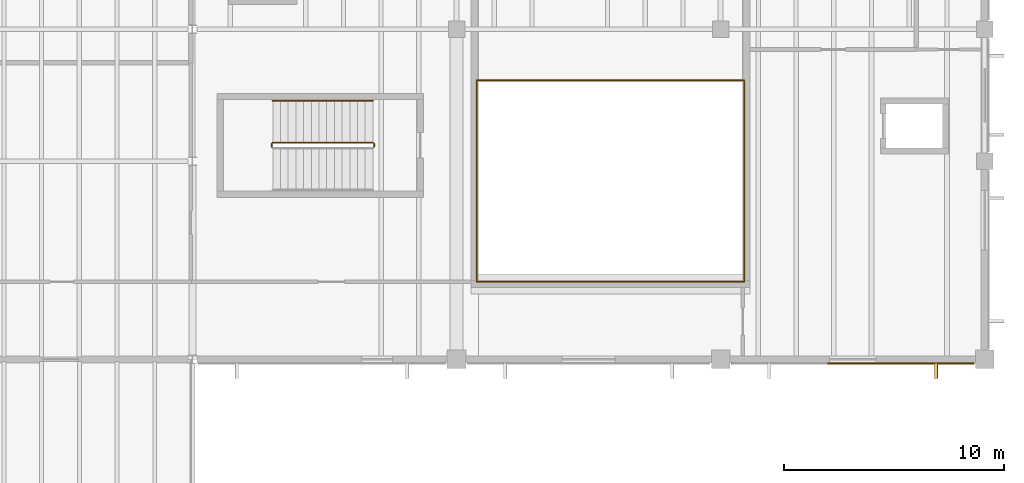
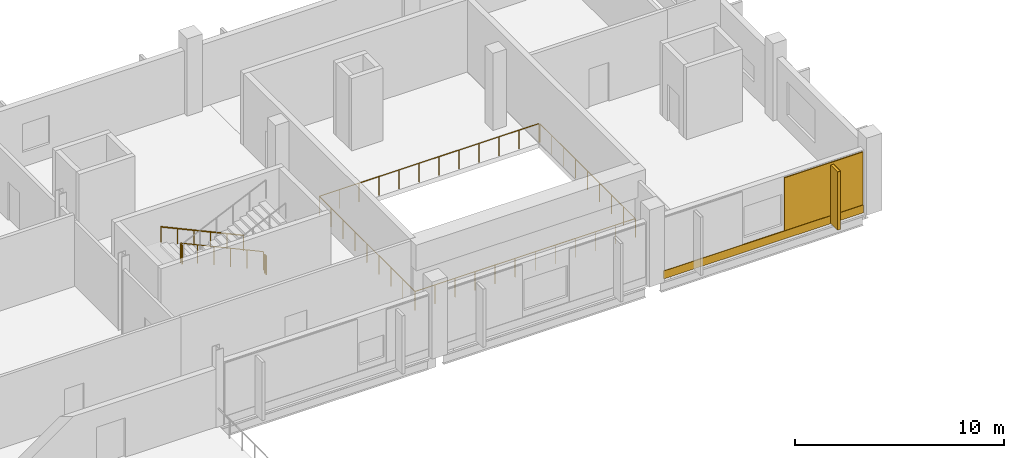
# One storey, part 77 of 78: 6 railings, 3 coverings, 1 shading device.
"""IFC4 building model written with IfcOpenShell, lengths in metres."""

from ifc_helpers import new_model, si_unit, direction, frame, origin, origin_2d, place, context, subcontext, project, spatial, rectangle, circle, extrude, material, layer, layer_set, type_object, element, save


model = new_model("IFC4")

# Units and contexts
model_context = context("Model", 3, precision=1e-05, world=origin(), true_north=direction((0.0, 1.0)))
body_context = subcontext(model_context, "Body", "Model", "MODEL_VIEW")
ifc_project = project(units=[si_unit("LENGTHUNIT", "METRE"), si_unit("AREAUNIT", "SQUARE_METRE"), si_unit("VOLUMEUNIT", "CUBIC_METRE"), si_unit("PLANEANGLEUNIT", "RADIAN"), si_unit("MASSUNIT", "GRAM", prefix="KILO")], contexts=[model_context])

# Site, building, storey
site_placement = place(None, origin())
site = spatial("IfcSite", under=ifc_project, at=site_placement, CompositionType="ELEMENT")
building_placement = place(site_placement, origin())
building = spatial("IfcBuilding", under=site, at=building_placement, Name="Kelmvaro Bay Concert Hall", CompositionType="ELEMENT")
storey_placement = place(building_placement, frame((0.0, 0.0, 9.300048828125)))
storey = spatial("IfcBuildingStorey", under=building, at=storey_placement, Name="L02", CompositionType="ELEMENT", Elevation=9.300048828125)

# Railings
ifc_material_1 = material(Name="Architectural Bronze and Laminated Glass", Category="glass")
railing_type_1 = type_object("IfcRailingType", Name="Auditorium Balcony Acoustic Brass Guard 1120", PredefinedType="BALUSTRADE", material=ifc_material_1)
railing_1_placement = place(storey_placement, frame((144.919921875, 77.320068359375, 0.0)))
element("IfcRailing", 1, at=railing_1_placement, inside=storey, type_object=railing_type_1, Name="L02 Balcony Guard 021", PredefinedType="BALUSTRADE", context=body_context, shape_type="SweptSolid", body=[
    extrude(circle(Radius=0.02392578125, at=origin_2d()), frame((0.0, 0.0, 1.09619140625), z_axis=(1.0, 0.0, 0.0), x_axis=(0.0, 1.0, 0.0)), (0.0, 0.0, 1.0), 12.16015625),
    extrude(circle(Radius=0.02392578125, at=origin_2d()), frame((12.16015625, 0.0, 1.09619140625), z_axis=(0.0, 1.0, 0.0), x_axis=(-1.0, 0.0, 0.0)), (0.0, 0.0, 1.0), 9.1298828125),
    extrude(circle(Radius=0.02099609375, at=origin_2d()), origin(), (0.0, 0.0, 1.0), 1.072021484375),
    extrude(circle(Radius=0.02099609375, at=origin_2d()), frame((1.10546875, 0.0, 0.0)), (0.0, 0.0, 1.0), 1.072021484375),
    extrude(circle(Radius=0.02099609375, at=origin_2d()), frame((2.2109375, 0.0, 0.0)), (0.0, 0.0, 1.0), 1.072021484375),
    extrude(circle(Radius=0.02099609375, at=origin_2d()), frame((3.31640625, 0.0, 0.0)), (0.0, 0.0, 1.0), 1.072021484375),
    extrude(circle(Radius=0.02099609375, at=origin_2d()), frame((4.421875, 0.0, 0.0)), (0.0, 0.0, 1.0), 1.072021484375),
    extrude(circle(Radius=0.02099609375, at=origin_2d()), frame((5.52734375, 0.0, 0.0)), (0.0, 0.0, 1.0), 1.072021484375),
    extrude(circle(Radius=0.02099609375, at=origin_2d()), frame((6.6328125, 0.0, 0.0)), (0.0, 0.0, 1.0), 1.072021484375),
    extrude(circle(Radius=0.02099609375, at=origin_2d()), frame((7.73828125, 0.0, 0.0)), (0.0, 0.0, 1.0), 1.072021484375),
    extrude(circle(Radius=0.02099609375, at=origin_2d()), frame((8.84375, 0.0, 0.0)), (0.0, 0.0, 1.0), 1.072021484375),
    extrude(circle(Radius=0.02099609375, at=origin_2d()), frame((9.94921875, 0.0, 0.0)), (0.0, 0.0, 1.0), 1.072021484375),
    extrude(circle(Radius=0.02099609375, at=origin_2d()), frame((11.0546875, 0.0, 0.0)), (0.0, 0.0, 1.0), 1.072021484375),
    extrude(circle(Radius=0.02099609375, at=origin_2d()), frame((12.16015625, 0.0, 0.0)), (0.0, 0.0, 1.0), 1.072021484375),
    extrude(circle(Radius=0.02099609375, at=origin_2d()), frame((12.16015625, 1.14111328125, 0.0)), (0.0, 0.0, 1.0), 1.072021484375),
    extrude(circle(Radius=0.02099609375, at=origin_2d()), frame((12.16015625, 2.282470703125, 0.0)), (0.0, 0.0, 1.0), 1.072021484375),
    extrude(circle(Radius=0.02099609375, at=origin_2d()), frame((12.16015625, 3.423828125, 0.0)), (0.0, 0.0, 1.0), 1.072021484375),
    extrude(circle(Radius=0.02099609375, at=origin_2d()), frame((12.16015625, 4.56494140625, 0.0)), (0.0, 0.0, 1.0), 1.072021484375),
    extrude(circle(Radius=0.02099609375, at=origin_2d()), frame((12.16015625, 5.7060546875, 0.0)), (0.0, 0.0, 1.0), 1.072021484375),
    extrude(circle(Radius=0.02099609375, at=origin_2d()), frame((12.16015625, 6.847412109375, 0.0)), (0.0, 0.0, 1.0), 1.072021484375),
    extrude(circle(Radius=0.02099609375, at=origin_2d()), frame((12.16015625, 7.98876953125, 0.0)), (0.0, 0.0, 1.0), 1.072021484375),
    extrude(circle(Radius=0.02099609375, at=origin_2d()), frame((12.16015625, 9.1298828125, 0.0)), (0.0, 0.0, 1.0), 1.072021484375),
])
railing_2_placement = place(storey_placement, frame((157.050048828125, 86.47998046875, 0.0)))
element("IfcRailing", 2, at=railing_2_placement, inside=storey, type_object=railing_type_1, Name="L02 Balcony Guard 022", PredefinedType="BALUSTRADE", context=body_context, shape_type="SweptSolid", body=[
    extrude(circle(Radius=0.02392578125, at=origin_2d()), frame((0.0, 0.0, 1.09619140625), z_axis=(-1.0, 0.0, 0.0), x_axis=(0.0, -1.0, 0.0)), (0.0, 0.0, 1.0), 12.130126953125),
    extrude(circle(Radius=0.02392578125, at=origin_2d()), frame((-12.130126953125, 0.0, 1.09619140625), z_axis=(0.0, -1.0, 0.0), x_axis=(1.0, 0.0, 0.0)), (0.0, 0.0, 1.0), 9.1298828125),
    extrude(circle(Radius=0.02099609375, at=origin_2d()), origin(), (0.0, 0.0, 1.0), 1.072021484375),
    extrude(circle(Radius=0.02099609375, at=origin_2d()), frame((-1.102783203125, 0.0, 0.0)), (0.0, 0.0, 1.0), 1.072021484375),
    extrude(circle(Radius=0.02099609375, at=origin_2d()), frame((-2.20556640625, 0.0, 0.0)), (0.0, 0.0, 1.0), 1.072021484375),
    extrude(circle(Radius=0.02099609375, at=origin_2d()), frame((-3.30810546875, 0.0, 0.0)), (0.0, 0.0, 1.0), 1.072021484375),
    extrude(circle(Radius=0.02099609375, at=origin_2d()), frame((-4.410888671875, 0.0, 0.0)), (0.0, 0.0, 1.0), 1.072021484375),
    extrude(circle(Radius=0.02099609375, at=origin_2d()), frame((-5.513671875, 0.0, 0.0)), (0.0, 0.0, 1.0), 1.072021484375),
    extrude(circle(Radius=0.02099609375, at=origin_2d()), frame((-6.616455078125, 0.0, 0.0)), (0.0, 0.0, 1.0), 1.072021484375),
    extrude(circle(Radius=0.02099609375, at=origin_2d()), frame((-7.71923828125, 0.0, 0.0)), (0.0, 0.0, 1.0), 1.072021484375),
    extrude(circle(Radius=0.02099609375, at=origin_2d()), frame((-8.822021484375, 0.0, 0.0)), (0.0, 0.0, 1.0), 1.072021484375),
    extrude(circle(Radius=0.02099609375, at=origin_2d()), frame((-9.924560546875, 0.0, 0.0)), (0.0, 0.0, 1.0), 1.072021484375),
    extrude(circle(Radius=0.02099609375, at=origin_2d()), frame((-11.02734375, 0.0, 0.0)), (0.0, 0.0, 1.0), 1.072021484375),
    extrude(circle(Radius=0.02099609375, at=origin_2d()), frame((-12.130126953125, 0.0, 0.0)), (0.0, 0.0, 1.0), 1.072021484375),
    extrude(circle(Radius=0.02099609375, at=origin_2d()), frame((-12.130126953125, -1.14111328125, 0.0)), (0.0, 0.0, 1.0), 1.072021484375),
    extrude(circle(Radius=0.02099609375, at=origin_2d()), frame((-12.130126953125, -2.282470703125, 0.0)), (0.0, 0.0, 1.0), 1.072021484375),
    extrude(circle(Radius=0.02099609375, at=origin_2d()), frame((-12.130126953125, -3.423828125, 0.0)), (0.0, 0.0, 1.0), 1.072021484375),
    extrude(circle(Radius=0.02099609375, at=origin_2d()), frame((-12.130126953125, -4.56494140625, 0.0)), (0.0, 0.0, 1.0), 1.072021484375),
    extrude(circle(Radius=0.02099609375, at=origin_2d()), frame((-12.130126953125, -5.7060546875, 0.0)), (0.0, 0.0, 1.0), 1.072021484375),
    extrude(circle(Radius=0.02099609375, at=origin_2d()), frame((-12.130126953125, -6.847412109375, 0.0)), (0.0, 0.0, 1.0), 1.072021484375),
    extrude(circle(Radius=0.02099609375, at=origin_2d()), frame((-12.130126953125, -7.98876953125, 0.0)), (0.0, 0.0, 1.0), 1.072021484375),
    extrude(circle(Radius=0.02099609375, at=origin_2d()), frame((-12.130126953125, -9.1298828125, 0.0)), (0.0, 0.0, 1.0), 1.072021484375),
])

# Shading device
ifc_material_2 = material(Name="Anodised Extruded Aluminium 6063-T6", Category="aluminium")
ifc_layer_1 = layer(ifc_material_2, 3.39990234375)
ifc_layer_set_1 = layer_set([ifc_layer_1], Name="Anodised Extruded Aluminium 6063-T6")
shading_device_type = type_object("IfcShadingDeviceType", Name="Bauhaus Vertical Solar Brise-Soleil Fin 720x3400", PredefinedType="SHUTTER", material=ifc_layer_set_1)
shading_device_placement = place(storey_placement, frame((165.791015625, 73.283935546875, 0.06005859375), z_axis=(0.0, 0.0, 1.0), x_axis=(-1.0, 0.0, 0.0)))
element("IfcShadingDevice", 3, at=shading_device_placement, inside=storey, type_object=shading_device_type, Name="L02 Solar Brise-Soleil Fin 069", PredefinedType="SHUTTER", context=body_context, shape_type="SweptSolid", body=[
    extrude(rectangle(XDim=0.159912109375, YDim=0.719970703125, at=origin_2d()), origin(), (0.0, 0.0, 1.0), 3.39990234375),
])

# Coverings
ifc_material_3 = material(Name="PVDF-Coated Architectural Aluminium", Category="aluminium")
ifc_layer_2 = layer(ifc_material_3, 0.0400390625)
ifc_layer_set_2 = layer_set([ifc_layer_2], Name="PVDF-Coated Architectural Aluminium")
covering_type_1 = type_object("IfcCoveringType", Name="De Stijl Enamelled Aluminium Fascia Panel 40", PredefinedType="CLADDING", material=ifc_layer_set_2)
covering_1_placement = place(storey_placement, frame((165.791015625, 73.283935546875, 0.06005859375), z_axis=(0.0, 0.0, 1.0), x_axis=(-1.0, 0.0, 0.0)))
element("IfcCovering", 4, at=covering_1_placement, inside=storey, type_object=covering_type_1, Name="L02 Architectural Vertical Fin Cladding 0376", PredefinedType="CLADDING", context=body_context, shape_type="SweptSolid", body=[
    extrude(rectangle(XDim=0.139892578125, YDim=0.699951171875, at=origin_2d()), origin(), (0.0, 0.0, 1.0), 3.39990234375),
])
ifc_material_4 = material(Name="Honed Florida Limestone Travertine", Category="masonry")
ifc_layer_3 = layer(ifc_material_4, 0.054931640625)
ifc_layer_set_3 = layer_set([ifc_layer_3], Name="Honed Florida Limestone Travertine")
covering_type_2 = type_object("IfcCoveringType", Name="Honed Florida Travertine Rainscreen Cladding 55", PredefinedType="CLADDING", material=ifc_layer_set_3)
covering_2_placement = place(storey_placement, frame((162.0, 73.614501953125, 0.0400390625), z_axis=(0.0, 0.0, 1.0), x_axis=(-1.0, 0.0, 0.0)))
element("IfcCovering", 5, at=covering_2_placement, inside=storey, type_object=covering_type_2, Name="L02 Travertine Sill Band 0375", PredefinedType="CLADDING", context=body_context, shape_type="SweptSolid", body=[
    extrude(rectangle(XDim=11.030029296875, YDim=0.054931640625, at=origin_2d()), origin(), (0.0, 0.0, 1.0), 0.4599609375),
])
covering_3_placement = place(storey_placement, frame((165.322509765625, 73.614501953125, 0.52001953125), z_axis=(0.0, 0.0, 1.0), x_axis=(-1.0, 0.0, 0.0)))
element("IfcCovering", 6, at=covering_3_placement, inside=storey, type_object=covering_type_2, Name="L02 Travertine Pier Panel 0378", PredefinedType="CLADDING", context=body_context, shape_type="SweptSolid", body=[
    extrude(rectangle(XDim=4.344970703125, YDim=0.054931640625, at=origin_2d()), origin(), (0.0, 0.0, 1.0), 3.083984375),
])

# Railings
ifc_material_5 = material(Name="Brushed Stainless Steel 316", Category="steel")
railing_type_2 = type_object("IfcRailingType", Name="Stair Stainless Wall Handrail 900", PredefinedType="HANDRAIL", material=ifc_material_5)
railing_3_placement = place(storey_placement, frame((140.199951171875, 85.550048828125, 0.16064453125)))
element("IfcRailing", 7, at=railing_3_placement, inside=storey, type_object=railing_type_2, Name="L02 ST-07 stair handrail 1", PredefinedType="HANDRAIL", context=body_context, shape_type="SweptSolid", body=[
    extrude(circle(Radius=0.02392578125, at=origin_2d()), frame((0.0, 0.0, 0.8759765625), z_axis=(-0.908768316152, 0.0, 0.417301027506), x_axis=(0.0, -1.0, 0.0)), (0.0, 0.0, 1.0), 5.0068359375),
    extrude(circle(Radius=0.02099609375, at=origin_2d()), origin(), (0.0, 0.0, 1.0), 0.851806640625),
    extrude(circle(Radius=0.02099609375, at=origin_2d()), frame((-0.909912109375, 0.0, 0.41796875)), (0.0, 0.0, 1.0), 0.851806640625),
    extrude(circle(Radius=0.02099609375, at=origin_2d()), frame((-1.820068359375, 0.0, 0.835693359375)), (0.0, 0.0, 1.0), 0.851806640625),
    extrude(circle(Radius=0.02099609375, at=origin_2d()), frame((-2.72998046875, 0.0, 1.253662109375)), (0.0, 0.0, 1.0), 0.851806640625),
    extrude(circle(Radius=0.02099609375, at=origin_2d()), frame((-3.64013671875, 0.0, 1.67138671875)), (0.0, 0.0, 1.0), 0.851806640625),
    extrude(circle(Radius=0.02099609375, at=origin_2d()), frame((-4.550048828125, 0.0, 2.08935546875)), (0.0, 0.0, 1.0), 0.851806640625),
])
ifc_material_6 = material(Name="Powder-Coated Steel ASTM A500", Category="steel")
railing_type_3 = type_object("IfcRailingType", Name="Stair Well Painted Steel Guard 1100", PredefinedType="BALUSTRADE", material=ifc_material_6)
railing_4_placement = place(storey_placement, frame((140.199951171875, 83.64990234375, 0.16064453125)))
element("IfcRailing", 8, at=railing_4_placement, inside=storey, type_object=railing_type_3, Name="L02 ST-07 stair guard 1", PredefinedType="BALUSTRADE", context=body_context, shape_type="SweptSolid", body=[
    extrude(circle(Radius=0.02392578125, at=origin_2d()), frame((0.0, 0.0, 1.076171875), z_axis=(-0.908768316152, 0.0, 0.417301027506), x_axis=(0.0, -1.0, 0.0)), (0.0, 0.0, 1.0), 5.0068359375),
    extrude(circle(Radius=0.02099609375, at=origin_2d()), origin(), (0.0, 0.0, 1.0), 1.052001953125),
    extrude(circle(Radius=0.02099609375, at=origin_2d()), frame((-0.909912109375, 0.0, 0.41796875)), (0.0, 0.0, 1.0), 1.052001953125),
    extrude(circle(Radius=0.02099609375, at=origin_2d()), frame((-1.820068359375, 0.0, 0.835693359375)), (0.0, 0.0, 1.0), 1.052001953125),
    extrude(circle(Radius=0.02099609375, at=origin_2d()), frame((-2.72998046875, 0.0, 1.253662109375)), (0.0, 0.0, 1.0), 1.052001953125),
    extrude(circle(Radius=0.02099609375, at=origin_2d()), frame((-3.64013671875, 0.0, 1.67138671875)), (0.0, 0.0, 1.0), 1.052001953125),
    extrude(circle(Radius=0.02099609375, at=origin_2d()), frame((-4.550048828125, 0.0, 2.08935546875)), (0.0, 0.0, 1.0), 1.052001953125),
])
for number, where, name in (
    (9, (135.60009765625, 83.60009765625, 2.25), "L02 ST-07 stair guard 2"),
    (10, (140.25, 83.60009765625, 0.0), "L02 ST-07 stair guard 4"),
):
    element("IfcRailing", number, at=place(storey_placement, frame(where)), inside=storey, type_object=railing_type_3, Name=name, PredefinedType="BALUSTRADE", context=body_context, shape_type="SweptSolid", body=[
        extrude(circle(Radius=0.02392578125, at=origin_2d()), frame((0.0, 0.0, 1.076171875), z_axis=(0.0, -1.0, 0.0), x_axis=(1.0, 0.0, 0.0)), (0.0, 0.0, 1.0), 0.150146484375),
        extrude(circle(Radius=0.02099609375, at=origin_2d()), origin(), (0.0, 0.0, 1.0), 1.052001953125),
        extrude(circle(Radius=0.02099609375, at=origin_2d()), frame((0.0, -0.150146484375, 0.0)), (0.0, 0.0, 1.0), 1.052001953125),
    ])

save(model, "model.ifc")
